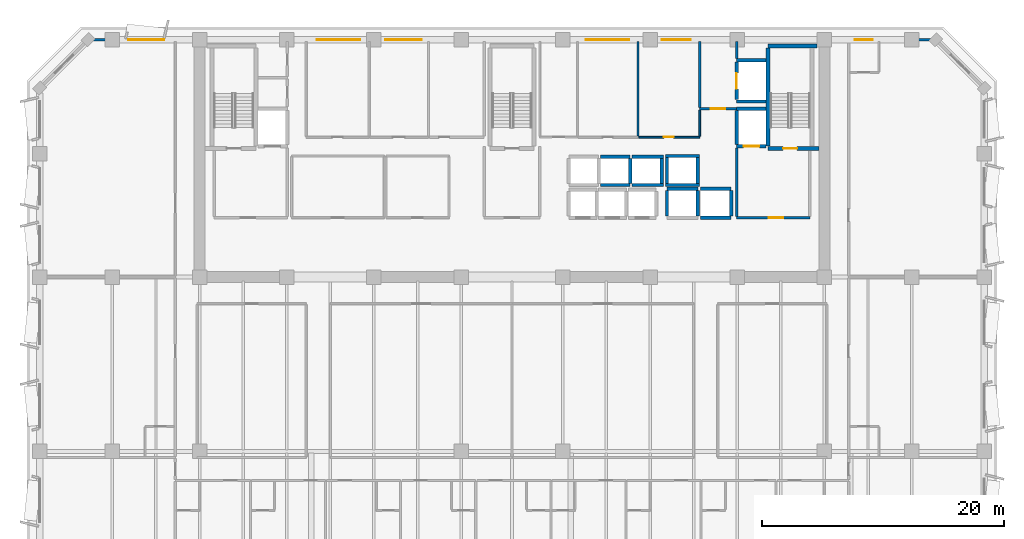
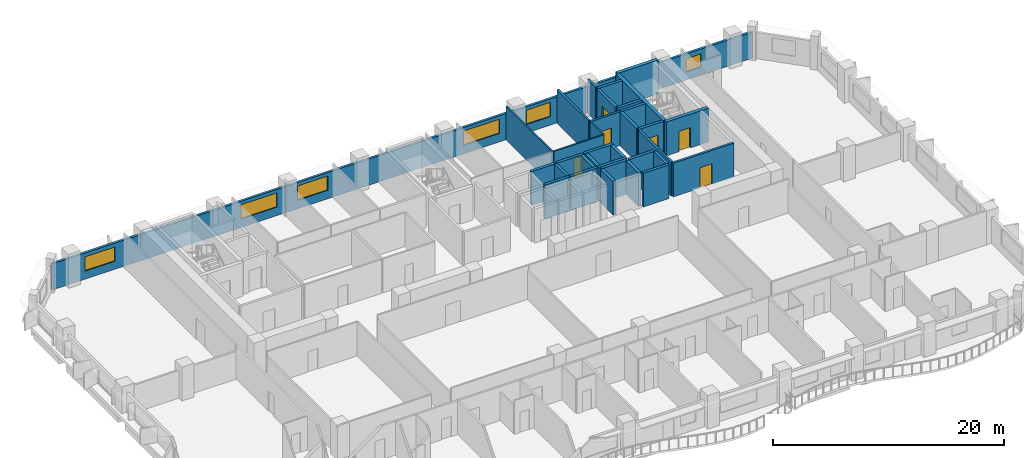
# One storey, part 8 of 15: 34 walls, 6 doors, 6 windows, 12 openings.
"""IFC4 building model written with IfcOpenShell, lengths in metres."""

from ifc_helpers import new_model, si_unit, direction, frame, frame_2d, origin, place, context, subcontext, project, spatial, rectangle, extrude, material, layer, layer_set, type_object, element, fill, save


model = new_model("IFC4")

# Units and contexts
model_context = context("Model", 3, precision=1e-05, world=origin(), true_north=direction((0.0, 1.0)))
body_context = subcontext(model_context, "Body", "Model", "MODEL_VIEW")
ifc_project = project(units=[si_unit("LENGTHUNIT", "METRE"), si_unit("AREAUNIT", "SQUARE_METRE"), si_unit("VOLUMEUNIT", "CUBIC_METRE"), si_unit("PLANEANGLEUNIT", "RADIAN"), si_unit("MASSUNIT", "GRAM", prefix="KILO")], contexts=[model_context])

# Site, building, storey
site_placement = place(None, origin())
site = spatial("IfcSite", under=ifc_project, at=site_placement, CompositionType="ELEMENT")
building_placement = place(site_placement, origin())
building = spatial("IfcBuilding", under=site, at=building_placement, Name="Kaelvorn Grand Hotel", CompositionType="ELEMENT")
storey_placement = place(building_placement, frame((0.0, 0.0, 150.550048828125)))
storey = spatial("IfcBuildingStorey", under=building, at=storey_placement, Name="L36", CompositionType="ELEMENT", Elevation=150.550048828125)

# Wall, openings, windows
ifc_material_1 = material(Name="Concrete C40/50", Category="concrete")
ifc_layer_1 = layer(ifc_material_1, 0.239990234375)
ifc_layer_set_1 = layer_set([ifc_layer_1], Name="Concrete C40/50")
wall_type_1 = type_object("IfcWallType", Name="WL-EXT-240-C40", PredefinedType="SOLIDWALL", material=ifc_layer_set_1)
wall_1_placement = place(storey_placement, frame((77.0, 49.0, 0.0), z_axis=(0.0, 0.0, 1.0), x_axis=(-1.0, 0.0, 0.0)))
wall_1 = element("IfcWall", 1, at=wall_1_placement, inside=storey, type_object=wall_type_1, Name="L36 Exterior Architectural Concrete Wall 05", PredefinedType="SOLIDWALL", context=body_context, shape_type="SweptSolid", body=[
    extrude(rectangle(XDim=70.0, YDim=0.239990234375, at=frame_2d((35.0, 0.0))), origin(), (0.0, 0.0, 1.0), 2.760009765625),
])
opening_1_placement = place(wall_1_placement, frame((63.699951171875, 0.0, 0.85009765625)))
opening_1 = element("IfcOpeningElement", 2, at=opening_1_placement, cuts=wall_1, Name="Opening W5", PredefinedType="OPENING", context=body_context, shape_type="SweptSolid", body=[
    extrude(rectangle(XDim=3.0, YDim=1.5, at=frame_2d((1.5, 0.75))), frame((0.0, 0.1298828125, 0.0), z_axis=(0.0, -1.0, 0.0), x_axis=(1.0, 0.0, 0.0)), (0.0, 0.0, 1.0), 0.260009765625),
])
opening_2_placement = place(wall_1_placement, frame((5.199951171875, 0.0, 0.85009765625)))
opening_2 = element("IfcOpeningElement", 3, at=opening_2_placement, cuts=wall_1, Name="Opening W10", PredefinedType="OPENING", context=body_context, shape_type="SweptSolid", body=[
    extrude(rectangle(XDim=1.5, YDim=1.39990234375, at=frame_2d((0.75, 0.699951171875))), frame((0.0, 0.1298828125, 0.0), z_axis=(0.0, -1.0, 0.0), x_axis=(1.0, 0.0, 0.0)), (0.0, 0.0, 1.0), 0.260009765625),
])
opening_3_placement = place(wall_1_placement, frame((47.514892578125, 0.0, 0.89990234375)))
opening_3 = element("IfcOpeningElement", 4, at=opening_3_placement, cuts=wall_1, Name="Opening W3", PredefinedType="OPENING", context=body_context, shape_type="SweptSolid", body=[
    extrude(rectangle(XDim=3.60009765625, YDim=1.5, at=frame_2d((1.800048828125, 0.75))), frame((0.0, 0.1298828125, 0.0), z_axis=(0.0, -1.0, 0.0), x_axis=(1.0, 0.0, 0.0)), (0.0, 0.0, 1.0), 0.260009765625),
])
opening_4_placement = place(wall_1_placement, frame((42.449951171875, 0.0, 0.89990234375)))
opening_4 = element("IfcOpeningElement", 5, at=opening_4_placement, cuts=wall_1, Name="Opening W5", PredefinedType="OPENING", context=body_context, shape_type="SweptSolid", body=[
    extrude(rectangle(XDim=3.0, YDim=1.5, at=frame_2d((1.5, 0.75))), frame((0.0, 0.1298828125, 0.0), z_axis=(0.0, -1.0, 0.0), x_axis=(1.0, 0.0, 0.0)), (0.0, 0.0, 1.0), 0.260009765625),
])
opening_5_placement = place(wall_1_placement, frame((25.300048828125, 0.0, 0.89990234375)))
opening_5 = element("IfcOpeningElement", 6, at=opening_5_placement, cuts=wall_1, Name="Opening W3", PredefinedType="OPENING", context=body_context, shape_type="SweptSolid", body=[
    extrude(rectangle(XDim=3.60009765625, YDim=1.5, at=frame_2d((1.800048828125, 0.75))), frame((0.0, 0.1298828125, 0.0), z_axis=(0.0, -1.0, 0.0), x_axis=(1.0, 0.0, 0.0)), (0.0, 0.0, 1.0), 0.260009765625),
])
opening_6_placement = place(wall_1_placement, frame((20.235107421875, 0.0, 0.89990234375)))
opening_6 = element("IfcOpeningElement", 7, at=opening_6_placement, cuts=wall_1, Name="Opening W6", PredefinedType="OPENING", context=body_context, shape_type="SweptSolid", body=[
    extrude(rectangle(XDim=2.39990234375, YDim=1.5, at=frame_2d((1.199951171875, 0.75))), frame((0.0, 0.1298828125, 0.0), z_axis=(0.0, -1.0, 0.0), x_axis=(1.0, 0.0, 0.0)), (0.0, 0.0, 1.0), 0.260009765625),
])
ifc_material_2 = material(Name="Laminated Low-E Glass", Category="glass")
window_type_1 = type_object("IfcWindowType", Name="WIN-COR-1500x1400", PartitioningType="SINGLE_PANEL", PredefinedType="WINDOW", material=ifc_material_2)
window_1_placement = place(opening_2_placement, origin())
window_1 = element("IfcWindow", 8, at=window_1_placement, inside=storey, type_object=window_type_1, Name="L36 North Wing Ribbon Window NW02", OverallHeight=1.39990234375, OverallWidth=1.5, PartitioningType="SINGLE_PANEL", PredefinedType="WINDOW", context=body_context, shape_type="SweptSolid", body=[
    extrude(rectangle(XDim=1.5, YDim=1.39990234375, at=frame_2d((0.75, 0.699951171875))), frame((0.0, 0.030029296875, 0.0), z_axis=(0.0, -1.0, 0.0), x_axis=(1.0, 0.0, 0.0)), (0.0, 0.0, 1.0), 0.06005859375),
])
fill(opening_2, window_1)
window_type_2 = type_object("IfcWindowType", Name="WIN-NTH-2400x1500", PartitioningType="SINGLE_PANEL", PredefinedType="WINDOW", material=ifc_material_2)
window_2_placement = place(opening_6_placement, origin())
window_2 = element("IfcWindow", 9, at=window_2_placement, inside=storey, type_object=window_type_2, Name="L36 North Core Clerestory Ribbon Window NC06", OverallHeight=1.5, OverallWidth=2.39990234375, PartitioningType="SINGLE_PANEL", PredefinedType="WINDOW", context=body_context, shape_type="SweptSolid", body=[
    extrude(rectangle(XDim=2.39990234375, YDim=1.5, at=frame_2d((1.199951171875, 0.75))), frame((0.0, 0.030029296875, 0.0), z_axis=(0.0, -1.0, 0.0), x_axis=(1.0, 0.0, 0.0)), (0.0, 0.0, 1.0), 0.06005859375),
])
fill(opening_6, window_2)
window_type_3 = type_object("IfcWindowType", Name="WIN-NTH-3000x1500", PartitioningType="SINGLE_PANEL", PredefinedType="WINDOW", material=ifc_material_2)
window_3_placement = place(opening_1_placement, origin())
window_3 = element("IfcWindow", 10, at=window_3_placement, inside=storey, type_object=window_type_3, Name="L36 North Wing Ribbon Window NW01", OverallHeight=1.5, OverallWidth=3.0, PartitioningType="SINGLE_PANEL", PredefinedType="WINDOW", context=body_context, shape_type="SweptSolid", body=[
    extrude(rectangle(XDim=3.0, YDim=1.5, at=frame_2d((1.5, 0.75))), frame((0.0, 0.030029296875, 0.0), z_axis=(0.0, -1.0, 0.0), x_axis=(1.0, 0.0, 0.0)), (0.0, 0.0, 1.0), 0.06005859375),
])
fill(opening_1, window_3)
window_4_placement = place(opening_4_placement, origin())
window_4 = element("IfcWindow", 11, at=window_4_placement, inside=storey, type_object=window_type_3, Name="L36 North Core Clerestory Ribbon Window NC04", OverallHeight=1.5, OverallWidth=3.0, PartitioningType="SINGLE_PANEL", PredefinedType="WINDOW", context=body_context, shape_type="SweptSolid", body=[
    extrude(rectangle(XDim=3.0, YDim=1.5, at=frame_2d((1.5, 0.75))), frame((0.0, 0.030029296875, 0.0), z_axis=(0.0, -1.0, 0.0), x_axis=(1.0, 0.0, 0.0)), (0.0, 0.0, 1.0), 0.06005859375),
])
fill(opening_4, window_4)
window_type_4 = type_object("IfcWindowType", Name="WIN-RIB-3600x1750", PartitioningType="SINGLE_PANEL", PredefinedType="WINDOW", material=ifc_material_2)
window_5_placement = place(opening_3_placement, origin())
window_5 = element("IfcWindow", 12, at=window_5_placement, inside=storey, type_object=window_type_4, Name="L36 North Core Clerestory Ribbon Window NC03", OverallHeight=1.5, OverallWidth=3.60009765625, PartitioningType="SINGLE_PANEL", PredefinedType="WINDOW", context=body_context, shape_type="SweptSolid", body=[
    extrude(rectangle(XDim=3.60009765625, YDim=1.5, at=frame_2d((1.800048828125, 0.75))), frame((0.0, 0.030029296875, 0.0), z_axis=(0.0, -1.0, 0.0), x_axis=(1.0, 0.0, 0.0)), (0.0, 0.0, 1.0), 0.06005859375),
])
fill(opening_3, window_5)
window_6_placement = place(opening_5_placement, origin())
window_6 = element("IfcWindow", 13, at=window_6_placement, inside=storey, type_object=window_type_4, Name="L36 North Core Clerestory Ribbon Window NC05", OverallHeight=1.5, OverallWidth=3.60009765625, PartitioningType="SINGLE_PANEL", PredefinedType="WINDOW", context=body_context, shape_type="SweptSolid", body=[
    extrude(rectangle(XDim=3.60009765625, YDim=1.5, at=frame_2d((1.800048828125, 0.75))), frame((0.0, 0.030029296875, 0.0), z_axis=(0.0, -1.0, 0.0), x_axis=(1.0, 0.0, 0.0)), (0.0, 0.0, 1.0), 0.06005859375),
])
fill(opening_5, window_6)

# Wall
ifc_material_3 = material(Name="Acoustic Gypsum & Stud Partition")
ifc_layer_2 = layer(ifc_material_3, 0.14990234375)
ifc_layer_set_2 = layer_set([ifc_layer_2], Name="Acoustic Gypsum & Stud Partition")
wall_type_2 = type_object("IfcWallType", Name="WL-PART-150-EI60", PredefinedType="PARTITIONING", material=ifc_layer_set_2)
wall_2_placement = place(storey_placement, frame((52.39990234375, 41.030029296875, 0.0), z_axis=(0.0, 0.0, 1.0), x_axis=(0.0, 1.0, 0.0)))
element("IfcWall", 14, at=wall_2_placement, inside=storey, type_object=wall_type_2, Name="L36 Valet & Luggage Store E Partition", PredefinedType="PARTITIONING", context=body_context, shape_type="SweptSolid", body=[
    extrude(rectangle(XDim=7.820068359375, YDim=0.14990234375, at=frame_2d((3.91015625, 0.0))), origin(), (0.0, 0.0, 1.0), 3.56005859375),
])

# Wall, opening, door
wall_3_placement = place(storey_placement, frame((52.47998046875, 40.949951171875, 0.0), z_axis=(0.0, 0.0, 1.0), x_axis=(1.0, 0.0, 0.0)))
wall_3 = element("IfcWall", 15, at=wall_3_placement, inside=storey, type_object=wall_type_2, Name="L36 Clean Utility & Amenity Store S Partition", PredefinedType="PARTITIONING", context=body_context, shape_type="SweptSolid", body=[
    extrude(rectangle(XDim=5.02001953125, YDim=0.14990234375, at=frame_2d((2.510009765625, 0.0))), origin(), (0.0, 0.0, 1.0), 3.56005859375),
])
opening_7_placement = place(wall_3_placement, frame((2.044921875, 0.0, 0.0)))
opening_7 = element("IfcOpeningElement", 16, at=opening_7_placement, cuts=wall_3, Name="Opening DI7", PredefinedType="OPENING", context=body_context, shape_type="SweptSolid", body=[
    extrude(rectangle(XDim=0.85009765625, YDim=2.10009765625, at=frame_2d((0.425048828125, 1.050048828125))), frame((0.0, 0.0849609375, 0.0), z_axis=(0.0, -1.0, 0.0), x_axis=(1.0, 0.0, 0.0)), (0.0, 0.0, 1.0), 0.169921875),
])
ifc_material_4 = material(Name="Powder-Coated Steel Leaf", Category="steel")
door_type_1 = type_object("IfcDoorType", Name="DR-INT-RISER-850x2100", OperationType="NOTDEFINED", PredefinedType="DOOR", material=ifc_material_4)
door_1_placement = place(opening_7_placement, origin())
door_1 = element("IfcDoor", 17, at=door_1_placement, inside=storey, type_object=door_type_1, Name="L36 Clean Utility & Amenity Store Door", OperationType="SINGLE_SWING_LEFT", OverallHeight=2.10009765625, OverallWidth=0.85009765625, PredefinedType="DOOR", context=body_context, shape_type="SweptSolid", body=[
    extrude(rectangle(XDim=0.85009765625, YDim=2.10009765625, at=frame_2d((0.425048828125, 1.050048828125))), frame((0.0, 0.02490234375, 0.0), z_axis=(0.0, -1.0, 0.0), x_axis=(1.0, 0.0, 0.0)), (0.0, 0.0, 1.0), 0.050048828125),
])
fill(opening_7, door_1)

# Wall
wall_4_placement = place(storey_placement, frame((57.5, 41.030029296875, 0.0), z_axis=(0.0, 0.0, 1.0), x_axis=(0.0, 1.0, 0.0)))
element("IfcWall", 18, at=wall_4_placement, inside=storey, type_object=wall_type_2, Name="L36 Clean Utility & Amenity Store E Partition", PredefinedType="PARTITIONING", context=body_context, shape_type="SweptSolid", body=[
    extrude(rectangle(XDim=2.155029296875, YDim=0.14990234375, at=frame_2d((1.07763671875, 0.0))), origin(), (0.0, 0.0, 1.0), 3.56005859375),
])

# Wall, opening, door
ifc_layer_3 = layer(ifc_material_1, 0.219970703125)
ifc_layer_set_3 = layer_set([ifc_layer_3], Name="Concrete C40/50")
wall_type_3 = type_object("IfcWallType", Name="WL-PART-220-EI120", PredefinedType="PARTITIONING", material=ifc_layer_set_3)
wall_5_placement = place(storey_placement, frame((60.550048828125, 34.300048828125, 0.0), z_axis=(0.0, 0.0, 1.0), x_axis=(1.0, 0.0, 0.0)))
wall_5 = element("IfcWall", 19, at=wall_5_placement, inside=storey, type_object=wall_type_3, Name="L36 Firefighting Lift Lobby 2 S Partition", PredefinedType="PARTITIONING", context=body_context, shape_type="SweptSolid", body=[
    extrude(rectangle(XDim=6.050048828125, YDim=0.219970703125, at=frame_2d((3.02490234375, 0.0))), origin(), (0.0, 0.0, 1.0), 3.56005859375),
])
opening_8_placement = place(wall_5_placement, frame((2.64990234375, 0.0, 0.0)))
opening_8 = element("IfcOpeningElement", 20, at=opening_8_placement, cuts=wall_5, Name="Opening DI2", PredefinedType="OPENING", context=body_context, shape_type="SweptSolid", body=[
    extrude(rectangle(XDim=1.199951171875, YDim=2.14990234375, at=frame_2d((0.60009765625, 1.074951171875))), frame((0.0, 0.1201171875, 0.0), z_axis=(0.0, -1.0, 0.0), x_axis=(1.0, 0.0, 0.0)), (0.0, 0.0, 1.0), 0.239990234375),
])
ifc_material_5 = material(Name="Timber Veneer Fire Leaf", Category="wood")
door_type_2 = type_object("IfcDoorType", Name="DR-INT-FFLOB-1200x2150", OperationType="NOTDEFINED", PredefinedType="DOOR", material=ifc_material_5)
door_2_placement = place(opening_8_placement, origin())
door_2 = element("IfcDoor", 21, at=door_2_placement, inside=storey, type_object=door_type_2, Name="L36 Firefighting Lift Lobby 2 Door", OperationType="SINGLE_SWING_LEFT", OverallHeight=2.14990234375, OverallWidth=1.199951171875, PredefinedType="DOOR", context=body_context, shape_type="SweptSolid", body=[
    extrude(rectangle(XDim=1.199951171875, YDim=2.14990234375, at=frame_2d((0.60009765625, 1.074951171875))), frame((0.0, 0.02490234375, 0.0), z_axis=(0.0, -1.0, 0.0), x_axis=(1.0, 0.0, 0.0)), (0.0, 0.0, 1.0), 0.050048828125),
])
fill(opening_8, door_2)

# Wall
wall_6_placement = place(storey_placement, frame((60.550048828125, 34.4150390625, 0.0), z_axis=(0.0, 0.0, 1.0), x_axis=(0.0, 1.0, 0.0)))
element("IfcWall", 22, at=wall_6_placement, inside=storey, type_object=wall_type_3, Name="L36 Firefighting Lift Lobby 2 W Partition", PredefinedType="PARTITIONING", context=body_context, shape_type="SweptSolid", body=[
    extrude(rectangle(XDim=5.639892578125, YDim=0.219970703125, at=frame_2d((2.81982421875, 0.0))), origin(), (0.0, 0.0, 1.0), 3.56005859375),
])

# Wall, opening, door
wall_7_placement = place(storey_placement, frame((57.5, 43.300048828125, 0.0), z_axis=(0.0, 0.0, 1.0), x_axis=(1.0, 0.0, 0.0)))
wall_7 = element("IfcWall", 23, at=wall_7_placement, inside=storey, type_object=wall_type_3, Name="L36 Service Lift Lobby S Partition", PredefinedType="PARTITIONING", context=body_context, shape_type="SweptSolid", body=[
    extrude(rectangle(XDim=3.0400390625, YDim=0.219970703125, at=frame_2d((1.52001953125, 0.0))), origin(), (0.0, 0.0, 1.0), 3.56005859375),
])
opening_9_placement = place(wall_7_placement, frame((0.89990234375, 0.0, 0.0)))
opening_9 = element("IfcOpeningElement", 24, at=opening_9_placement, cuts=wall_7, Name="Opening DI2", PredefinedType="OPENING", context=body_context, shape_type="SweptSolid", body=[
    extrude(rectangle(XDim=1.199951171875, YDim=2.14990234375, at=frame_2d((0.60009765625, 1.074951171875))), frame((0.0, 0.1201171875, 0.0), z_axis=(0.0, -1.0, 0.0), x_axis=(1.0, 0.0, 0.0)), (0.0, 0.0, 1.0), 0.239990234375),
])
door_3_placement = place(opening_9_placement, origin())
door_3 = element("IfcDoor", 25, at=door_3_placement, inside=storey, type_object=door_type_2, Name="L36 Service Lift Lobby Door", OperationType="SINGLE_SWING_LEFT", OverallHeight=2.14990234375, OverallWidth=1.199951171875, PredefinedType="DOOR", context=body_context, shape_type="SweptSolid", body=[
    extrude(rectangle(XDim=1.199951171875, YDim=2.14990234375, at=frame_2d((0.60009765625, 1.074951171875))), frame((0.0, 0.02490234375, 0.0), z_axis=(0.0, -1.0, 0.0), x_axis=(1.0, 0.0, 0.0)), (0.0, 0.0, 1.0), 0.050048828125),
])
fill(opening_9, door_3)

# Walls
wall_8_placement = place(storey_placement, frame((57.5, 43.4150390625, 0.0), z_axis=(0.0, 0.0, 1.0), x_axis=(0.0, 1.0, 0.0)))
element("IfcWall", 26, at=wall_8_placement, inside=storey, type_object=wall_type_3, Name="L36 Service Lift Lobby W Partition", PredefinedType="PARTITIONING", context=body_context, shape_type="SweptSolid", body=[
    extrude(rectangle(XDim=5.43505859375, YDim=0.219970703125, at=frame_2d((2.717529296875, 0.0))), origin(), (0.0, 0.0, 1.0), 3.56005859375),
])
wall_9_placement = place(storey_placement, frame((60.550048828125, 47.445068359375, 0.0), z_axis=(0.0, 0.0, 1.0), x_axis=(0.0, 1.0, 0.0)))
element("IfcWall", 27, at=wall_9_placement, inside=storey, type_object=wall_type_3, Name="L36 Service Lift Lobby E Partition", PredefinedType="PARTITIONING", context=body_context, shape_type="SweptSolid", body=[
    extrude(rectangle(XDim=1.405029296875, YDim=0.219970703125, at=frame_2d((0.70263671875, 0.0))), origin(), (0.0, 0.0, 1.0), 3.56005859375),
])
ifc_material_6 = material(Name="Concrete C50/60", Category="concrete")
ifc_layer_4 = layer(ifc_material_6, 0.280029296875)
ifc_layer_set_4 = layer_set([ifc_layer_4], Name="Concrete C50/60")
wall_type_4 = type_object("IfcWallType", Name="WL-SHAFT-280-C50", PredefinedType="SHEAR", material=ifc_layer_set_4)
for number, where, z_axis, x_axis, name in (
    (28, (49.300048828125, 37.0, 0.0), (0.0, 0.0, 1.0), (1.0, 0.0, 0.0), "L36 Lift SL-2 Shaft South Wall"),
    (29, (49.300048828125, 39.35009765625, 0.0), (0.0, 0.0, 1.0), (1.0, 0.0, 0.0), "L36 Lift SL-2 Shaft North Wall"),
):
    element("IfcWall", number, at=place(storey_placement, frame(where, z_axis=z_axis, x_axis=x_axis)), inside=storey, type_object=wall_type_4, Name=name, PredefinedType="SHEAR", context=body_context, shape_type="SweptSolid", body=[
        extrude(rectangle(XDim=2.449951171875, YDim=0.280029296875, at=frame_2d((1.22509765625, 0.0))), origin(), (0.0, 0.0, 1.0), 3.56005859375),
    ])
wall_10_placement = place(storey_placement, frame((51.75, 37.14501953125, 0.0), z_axis=(0.0, 0.0, 1.0), x_axis=(0.0, 1.0, 0.0)))
element("IfcWall", 30, at=wall_10_placement, inside=storey, type_object=wall_type_4, Name="L36 Lift SL-2 Shaft East Wall", PredefinedType="SHEAR", context=body_context, shape_type="SweptSolid", body=[
    extrude(rectangle(XDim=2.06005859375, YDim=0.280029296875, at=frame_2d((1.030029296875, 0.0))), origin(), (0.0, 0.0, 1.0), 3.56005859375),
])
for number, where, z_axis, x_axis, name in (
    (31, (51.89990234375, 37.0, 0.0), (0.0, 0.0, 1.0), (1.0, 0.0, 0.0), "L36 Lift SL-3 Shaft South Wall"),
    (32, (51.89990234375, 39.35009765625, 0.0), (0.0, 0.0, 1.0), (1.0, 0.0, 0.0), "L36 Lift SL-3 Shaft North Wall"),
):
    element("IfcWall", number, at=place(storey_placement, frame(where, z_axis=z_axis, x_axis=x_axis)), inside=storey, type_object=wall_type_4, Name=name, PredefinedType="SHEAR", context=body_context, shape_type="SweptSolid", body=[
        extrude(rectangle(XDim=2.590087890625, YDim=0.280029296875, at=frame_2d((1.294921875, 0.0))), origin(), (0.0, 0.0, 1.0), 3.56005859375),
    ])
wall_11_placement = place(storey_placement, frame((54.35009765625, 37.14501953125, 0.0), z_axis=(0.0, 0.0, 1.0), x_axis=(0.0, 1.0, 0.0)))
element("IfcWall", 33, at=wall_11_placement, inside=storey, type_object=wall_type_4, Name="L36 Lift SL-3 Shaft East Wall", PredefinedType="SHEAR", context=body_context, shape_type="SweptSolid", body=[
    extrude(rectangle(XDim=2.06005859375, YDim=0.280029296875, at=frame_2d((1.030029296875, 0.0))), origin(), (0.0, 0.0, 1.0), 3.56005859375),
])
wall_12_placement = place(storey_placement, frame((54.800048828125, 36.699951171875, 0.0), z_axis=(0.0, 0.0, 1.0), x_axis=(1.0, 0.0, 0.0)))
element("IfcWall", 34, at=wall_12_placement, inside=storey, type_object=wall_type_4, Name="L36 Lift OL-1 Shaft North Wall", PredefinedType="SHEAR", context=body_context, shape_type="SweptSolid", body=[
    extrude(rectangle(XDim=2.550048828125, YDim=0.280029296875, at=frame_2d((1.27490234375, 0.0))), origin(), (0.0, 0.0, 1.0), 3.56005859375),
])
for number, where, z_axis, x_axis, name in (
    (35, (54.800048828125, 34.445068359375, 0.0), (0.0, 0.0, 1.0), (0.0, 1.0, 0.0), "L36 Lift OL-1 Shaft West Wall"),
    (36, (57.35009765625, 34.445068359375, 0.0), (0.0, 0.0, 1.0), (0.0, 1.0, 0.0), "L36 Lift OL-1 Shaft East Wall"),
):
    element("IfcWall", number, at=place(storey_placement, frame(where, z_axis=z_axis, x_axis=x_axis)), inside=storey, type_object=wall_type_4, Name=name, PredefinedType="SHEAR", context=body_context, shape_type="SweptSolid", body=[
        extrude(rectangle(XDim=2.10986328125, YDim=0.280029296875, at=frame_2d((1.054931640625, 0.0))), origin(), (0.0, 0.0, 1.0), 3.56005859375),
    ])
for number, where, z_axis, x_axis, name in (
    (37, (57.550048828125, 34.300048828125, 0.0), (0.0, 0.0, 1.0), (1.0, 0.0, 0.0), "L36 Lift OL-2 Shaft South Wall"),
    (38, (57.550048828125, 36.699951171875, 0.0), (0.0, 0.0, 1.0), (1.0, 0.0, 0.0), "L36 Lift OL-2 Shaft North Wall"),
):
    element("IfcWall", number, at=place(storey_placement, frame(where, z_axis=z_axis, x_axis=x_axis)), inside=storey, type_object=wall_type_4, Name=name, PredefinedType="SHEAR", context=body_context, shape_type="SweptSolid", body=[
        extrude(rectangle(XDim=2.550048828125, YDim=0.280029296875, at=frame_2d((1.27490234375, 0.0))), origin(), (0.0, 0.0, 1.0), 3.56005859375),
    ])
wall_13_placement = place(storey_placement, frame((60.10009765625, 34.445068359375, 0.0), z_axis=(0.0, 0.0, 1.0), x_axis=(0.0, 1.0, 0.0)))
element("IfcWall", 39, at=wall_13_placement, inside=storey, type_object=wall_type_4, Name="L36 Lift OL-2 Shaft East Wall", PredefinedType="SHEAR", context=body_context, shape_type="SweptSolid", body=[
    extrude(rectangle(XDim=2.10986328125, YDim=0.280029296875, at=frame_2d((1.054931640625, 0.0))), origin(), (0.0, 0.0, 1.0), 3.56005859375),
])
for number, where, z_axis, x_axis, name in (
    (40, (54.659912109375, 37.0, 0.0), (0.0, 0.0, 1.0), (1.0, 0.0, 0.0), "L36 Lift OL-3 Shaft South Wall"),
    (41, (54.659912109375, 39.39990234375, 0.0), (0.0, 0.0, 1.0), (1.0, 0.0, 0.0), "L36 Lift OL-3 Shaft North Wall"),
):
    element("IfcWall", number, at=place(storey_placement, frame(where, z_axis=z_axis, x_axis=x_axis)), inside=storey, type_object=wall_type_4, Name=name, PredefinedType="SHEAR", context=body_context, shape_type="SweptSolid", body=[
        extrude(rectangle(XDim=2.830078125, YDim=0.280029296875, at=frame_2d((1.4150390625, 0.0))), origin(), (0.0, 0.0, 1.0), 3.56005859375),
    ])
for number, where, z_axis, x_axis, name in (
    (42, (54.800048828125, 37.14501953125, 0.0), (0.0, 0.0, 1.0), (0.0, 1.0, 0.0), "L36 Lift OL-3 Shaft West Wall"),
    (43, (57.35009765625, 37.14501953125, 0.0), (0.0, 0.0, 1.0), (0.0, 1.0, 0.0), "L36 Lift OL-3 Shaft East Wall"),
):
    element("IfcWall", number, at=place(storey_placement, frame(where, z_axis=z_axis, x_axis=x_axis)), inside=storey, type_object=wall_type_4, Name=name, PredefinedType="SHEAR", context=body_context, shape_type="SweptSolid", body=[
        extrude(rectangle(XDim=2.10986328125, YDim=0.280029296875, at=frame_2d((1.054931640625, 0.0))), origin(), (0.0, 0.0, 1.0), 3.56005859375),
    ])

# Wall, opening, door
wall_14_placement = place(storey_placement, frame((60.550048828125, 40.199951171875, 0.0), z_axis=(0.0, 0.0, 1.0), x_axis=(1.0, 0.0, 0.0)))
wall_14 = element("IfcWall", 44, at=wall_14_placement, inside=storey, type_object=wall_type_4, Name="L36 Lift FFL2 Shaft South Wall", PredefinedType="SHEAR", context=body_context, shape_type="SweptSolid", body=[
    extrude(rectangle(XDim=2.4150390625, YDim=0.280029296875, at=frame_2d((1.20751953125, 0.0))), origin(), (0.0, 0.0, 1.0), 3.56005859375),
])
opening_10_placement = place(wall_14_placement, frame((0.574951171875, 0.0, 0.0)))
opening_10 = element("IfcOpeningElement", 45, at=opening_10_placement, cuts=wall_14, Name="Opening LD-FFL2", PredefinedType="OPENING", context=body_context, shape_type="SweptSolid", body=[
    extrude(rectangle(XDim=1.300048828125, YDim=2.300048828125, at=frame_2d((0.64990234375, 1.14990234375))), frame((0.0, 0.14990234375, 0.0), z_axis=(0.0, -1.0, 0.0), x_axis=(1.0, 0.0, 0.0)), (0.0, 0.0, 1.0), 0.300048828125),
])
ifc_material_7 = material(Name="Stainless Steel", Category="steel")
door_type_3 = type_object("IfcDoorType", Name="DR-LIFT-SERV-1300x2300", OperationType="DOUBLE_DOOR_SLIDING", PredefinedType="DOOR", material=ifc_material_7)
door_4_placement = place(opening_10_placement, origin())
door_4 = element("IfcDoor", 46, at=door_4_placement, inside=storey, type_object=door_type_3, Name="L36 Lift FFL2 Sliding Landing Door LD-FFL2", OperationType="DOUBLE_DOOR_SLIDING", OverallHeight=2.300048828125, OverallWidth=1.300048828125, PredefinedType="DOOR", context=body_context, shape_type="SweptSolid", body=[
    extrude(rectangle(XDim=1.300048828125, YDim=2.300048828125, at=frame_2d((0.64990234375, 1.14990234375))), frame((0.0, 0.02490234375, 0.0), z_axis=(0.0, -1.0, 0.0), x_axis=(1.0, 0.0, 0.0)), (0.0, 0.0, 1.0), 0.050048828125),
])
fill(opening_10, door_4)

# Walls
wall_15_placement = place(storey_placement, frame((60.550048828125, 43.300048828125, 0.0), z_axis=(0.0, 0.0, 1.0), x_axis=(1.0, 0.0, 0.0)))
element("IfcWall", 47, at=wall_15_placement, inside=storey, type_object=wall_type_4, Name="L36 Lift FFL2 Shaft North Wall", PredefinedType="SHEAR", context=body_context, shape_type="SweptSolid", body=[
    extrude(rectangle(XDim=2.4150390625, YDim=0.280029296875, at=frame_2d((1.20751953125, 0.0))), origin(), (0.0, 0.0, 1.0), 3.56005859375),
])
wall_16_placement = place(storey_placement, frame((60.550048828125, 40.344970703125, 0.0), z_axis=(0.0, 0.0, 1.0), x_axis=(0.0, 1.0, 0.0)))
element("IfcWall", 48, at=wall_16_placement, inside=storey, type_object=wall_type_4, Name="L36 Lift FFL2 Shaft West Wall", PredefinedType="SHEAR", context=body_context, shape_type="SweptSolid", body=[
    extrude(rectangle(XDim=2.81005859375, YDim=0.280029296875, at=frame_2d((1.405029296875, 0.0))), origin(), (0.0, 0.0, 1.0), 3.56005859375),
])
for number, where, z_axis, x_axis, name in (
    (49, (60.550048828125, 43.89990234375, 0.0), (0.0, 0.0, 1.0), (1.0, 0.0, 0.0), "L36 Lift SV1 Shaft South Wall"),
    (50, (60.550048828125, 47.300048828125, 0.0), (0.0, 0.0, 1.0), (1.0, 0.0, 0.0), "L36 Lift SV1 Shaft North Wall"),
):
    element("IfcWall", number, at=place(storey_placement, frame(where, z_axis=z_axis, x_axis=x_axis)), inside=storey, type_object=wall_type_4, Name=name, PredefinedType="SHEAR", context=body_context, shape_type="SweptSolid", body=[
        extrude(rectangle(XDim=2.4150390625, YDim=0.280029296875, at=frame_2d((1.20751953125, 0.0))), origin(), (0.0, 0.0, 1.0), 3.56005859375),
    ])

# Wall, opening, door
wall_17_placement = place(storey_placement, frame((60.550048828125, 44.044921875, 0.0), z_axis=(0.0, 0.0, 1.0), x_axis=(0.0, 1.0, 0.0)))
wall_17 = element("IfcWall", 51, at=wall_17_placement, inside=storey, type_object=wall_type_4, Name="L36 Lift SV1 Shaft West Wall", PredefinedType="SHEAR", context=body_context, shape_type="SweptSolid", body=[
    extrude(rectangle(XDim=3.110107421875, YDim=0.280029296875, at=frame_2d((1.55517578125, 0.0))), origin(), (0.0, 0.0, 1.0), 3.56005859375),
])
opening_11_placement = place(wall_17_placement, frame((0.905029296875, 0.0, 0.0)))
opening_11 = element("IfcOpeningElement", 52, at=opening_11_placement, cuts=wall_17, Name="Opening LD-SV1", PredefinedType="OPENING", context=body_context, shape_type="SweptSolid", body=[
    extrude(rectangle(XDim=1.300048828125, YDim=2.300048828125, at=frame_2d((0.64990234375, 1.14990234375))), frame((0.0, 0.14990234375, 0.0), z_axis=(0.0, -1.0, 0.0), x_axis=(1.0, 0.0, 0.0)), (0.0, 0.0, 1.0), 0.300048828125),
])
door_5_placement = place(opening_11_placement, origin())
door_5 = element("IfcDoor", 53, at=door_5_placement, inside=storey, type_object=door_type_3, Name="L36 Lift SV1 Sliding Landing Door LD-SV1", OperationType="DOUBLE_DOOR_SLIDING", OverallHeight=2.300048828125, OverallWidth=1.300048828125, PredefinedType="DOOR", context=body_context, shape_type="SweptSolid", body=[
    extrude(rectangle(XDim=1.300048828125, YDim=2.300048828125, at=frame_2d((0.64990234375, 1.14990234375))), frame((0.0, 0.02490234375, 0.0), z_axis=(0.0, -1.0, 0.0), x_axis=(1.0, 0.0, 0.0)), (0.0, 0.0, 1.0), 0.050048828125),
])
fill(opening_11, door_5)

ifc_material_8 = material(Name="Concrete C60/75", Category="concrete")
ifc_layer_5 = layer(ifc_material_8, 0.35009765625)
ifc_layer_set_5 = layer_set([ifc_layer_5], Name="Concrete C60/75")
wall_type_5 = type_object("IfcWallType", Name="WL-SHAFT-350-C60", PredefinedType="SHEAR", material=ifc_layer_set_5)
wall_18_placement = place(storey_placement, frame((63.14501953125, 40.02490234375, 0.0), z_axis=(0.0, 0.0, 1.0), x_axis=(1.0, 0.0, 0.0)))
wall_18 = element("IfcWall", 54, at=wall_18_placement, inside=storey, type_object=wall_type_5, Name="L36 ST3 Stair Shaft South Wall", PredefinedType="SHEAR", context=body_context, shape_type="SweptSolid", body=[
    extrude(rectangle(XDim=4.199951171875, YDim=0.35009765625, at=frame_2d((2.10009765625, 0.0))), origin(), (0.0, 0.0, 1.0), 3.56005859375),
])
opening_12_placement = place(wall_18_placement, frame((1.239990234375, 0.0, 0.0)))
opening_12 = element("IfcOpeningElement", 55, at=opening_12_placement, cuts=wall_18, Name="Opening DI1", PredefinedType="OPENING", context=body_context, shape_type="SweptSolid", body=[
    extrude(rectangle(XDim=1.14990234375, YDim=2.14990234375, at=frame_2d((0.574951171875, 1.074951171875))), frame((0.0, 0.18505859375, 0.0), z_axis=(0.0, -1.0, 0.0), x_axis=(1.0, 0.0, 0.0)), (0.0, 0.0, 1.0), 0.3701171875),
])
door_type_4 = type_object("IfcDoorType", Name="DR-INT-STAIR-1150x2150", OperationType="NOTDEFINED", PredefinedType="DOOR", material=ifc_material_5)
door_6_placement = place(opening_12_placement, origin())
door_6 = element("IfcDoor", 56, at=door_6_placement, inside=storey, type_object=door_type_4, Name="L36 ST3 Exit Stair Fire Door", OperationType="SINGLE_SWING_LEFT", OverallHeight=2.14990234375, OverallWidth=1.14990234375, PredefinedType="DOOR", context=body_context, shape_type="SweptSolid", body=[
    extrude(rectangle(XDim=1.14990234375, YDim=2.14990234375, at=frame_2d((0.574951171875, 1.074951171875))), frame((0.0, 0.02490234375, 0.0), z_axis=(0.0, -1.0, 0.0), x_axis=(1.0, 0.0, 0.0)), (0.0, 0.0, 1.0), 0.050048828125),
])
fill(opening_12, door_6)

# Walls
wall_19_placement = place(storey_placement, frame((63.14501953125, 48.47509765625, 0.0), z_axis=(0.0, 0.0, 1.0), x_axis=(1.0, 0.0, 0.0)))
element("IfcWall", 57, at=wall_19_placement, inside=storey, type_object=wall_type_5, Name="L36 ST3 Stair Shaft North Wall", PredefinedType="SHEAR", context=body_context, shape_type="SweptSolid", body=[
    extrude(rectangle(XDim=4.050048828125, YDim=0.35009765625, at=frame_2d((2.02490234375, 0.0))), origin(), (0.0, 0.0, 1.0), 3.56005859375),
])
wall_20_placement = place(storey_placement, frame((63.14501953125, 40.205078125, 0.0), z_axis=(0.0, 0.0, 1.0), x_axis=(0.0, 1.0, 0.0)))
element("IfcWall", 58, at=wall_20_placement, inside=storey, type_object=wall_type_5, Name="L36 ST3 Stair Shaft West Wall", PredefinedType="SHEAR", context=body_context, shape_type="SweptSolid", body=[
    extrude(rectangle(XDim=8.08984375, YDim=0.35009765625, at=frame_2d((4.044921875, 0.0))), origin(), (0.0, 0.0, 1.0), 3.56005859375),
])

save(model, "model.ifc")
